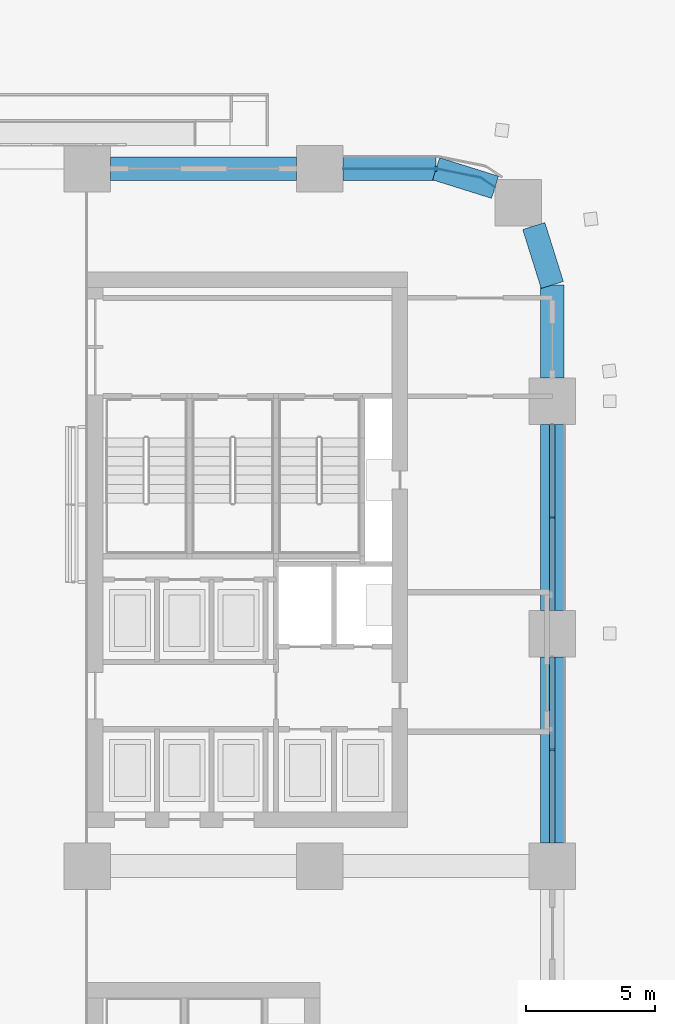
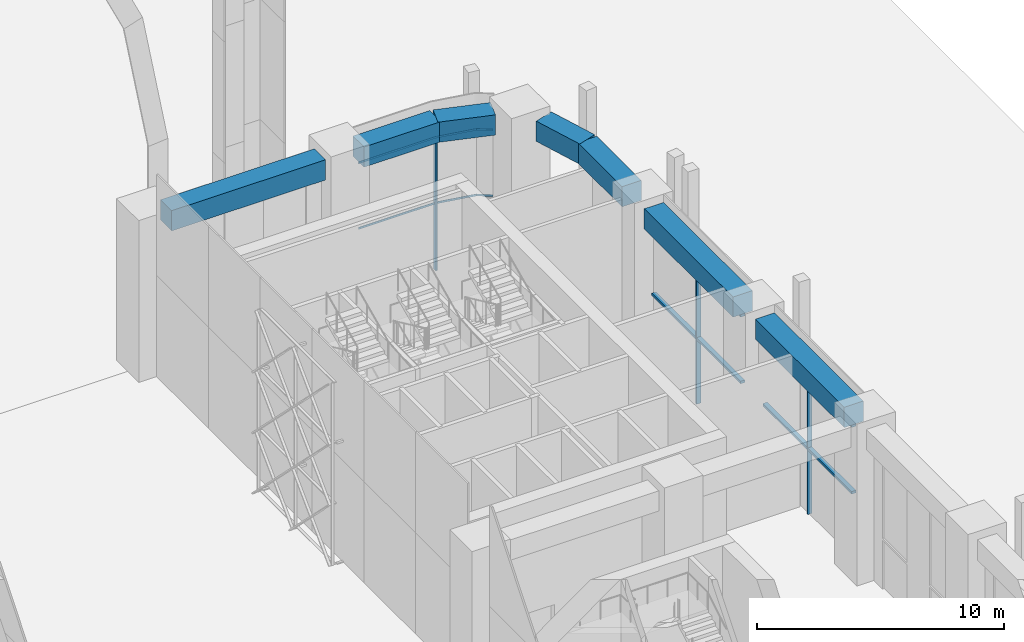
# One storey, part 19 of 64: 9 members, 7 beams, 3 elements without a shape of their own.
"""IFC4 building model written with IfcOpenShell, lengths in metres."""

from ifc_helpers import new_model, si_unit, direction, frame, origin, origin_2d, place, context, subcontext, project, spatial, polyline, rectangle, outline, extrude, material, material_profile, profile_set, type_object, element, aggregate, save


model = new_model("IFC4")

# Units and contexts
model_context = context("Model", 3, precision=1e-05, world=origin(), true_north=direction((0.0, 1.0)))
body_context = subcontext(model_context, "Body", "Model", "MODEL_VIEW")
ifc_project = project(units=[si_unit("LENGTHUNIT", "METRE"), si_unit("AREAUNIT", "SQUARE_METRE"), si_unit("VOLUMEUNIT", "CUBIC_METRE"), si_unit("PLANEANGLEUNIT", "RADIAN"), si_unit("MASSUNIT", "GRAM", prefix="KILO")], contexts=[model_context])

# Site, building, storey
site_placement = place(None, origin())
site = spatial("IfcSite", under=ifc_project, at=site_placement, CompositionType="ELEMENT")
building_placement = place(site_placement, origin())
building = spatial("IfcBuilding", under=site, at=building_placement, Name="Tessera Arch", CompositionType="ELEMENT")
storey_placement = place(building_placement, origin())
storey = spatial("IfcBuildingStorey", under=building, at=storey_placement, Name="L00", CompositionType="ELEMENT", Elevation=0.0)

# Curtain wall, members
ifc_material_1 = material(Name="CW2 curtain wall")
curtain_wall_type_1 = type_object("IfcCurtainWallType", Name="CW2 curtain wall", PredefinedType="NOTDEFINED", material=ifc_material_1)
curtain_wall_1_placement = place(storey_placement, origin())
curtain_wall_1 = element("IfcCurtainWall", 1, at=curtain_wall_1_placement, inside=storey, type_object=curtain_wall_type_1, Name="CW2 curtain wall N54.36/0 L00", PredefinedType="NOTDEFINED")
ifc_material_2 = material(Name="Anodised aluminium pale metal", Category="aluminium")
ifc_material_profile_1 = material_profile(ifc_material_2, rectangle(XDim=0.199951171875, YDim=0.080078125, at=origin_2d()), Name="AL 80x200")
ifc_profile_set_1 = profile_set([ifc_material_profile_1], Name="Anodised aluminium pale metal")
member_type_1 = type_object("IfcMemberType", Name="CW2 mullion", PredefinedType="MULLION", material=ifc_profile_set_1)
member_1_placement = place(storey_placement, frame((49.5, 54.0, 0.0), z_axis=(0.0, 0.0, 1.0), x_axis=(0.0, -1.0, 0.0)))
member_1 = element("IfcMember", 2, at=member_1_placement, type_object=member_type_1, Name="CW2 mullion N54.36/0 1", PredefinedType="MULLION", context=body_context, shape_type="SweptSolid", body=[
    extrude(rectangle(XDim=0.199951171875, YDim=0.080078125, at=origin_2d()), origin(), (0.0, 0.0, 1.0), 6.489990234375),
])
ifc_material_3 = material(Name="Anodised aluminium pale metal", Category="aluminium")
ifc_material_profile_2 = material_profile(ifc_material_3, rectangle(XDim=0.199951171875, YDim=0.10009765625, at=origin_2d()), Name="AL 200x100")
ifc_profile_set_2 = profile_set([ifc_material_profile_2], Name="Anodised aluminium pale metal")
member_type_2 = type_object("IfcMemberType", Name="CW2 transom", PredefinedType="USERDEFINED", material=ifc_profile_set_2)
member_2_placement = place(storey_placement, frame((0.0, 0.0, 3.2451171875)))
member_2 = element("IfcMember", 3, at=member_2_placement, type_object=member_type_2, Name="CW2 transom N54.36/0 1", ObjectType="TRANSOM", PredefinedType="USERDEFINED", context=body_context, shape_type="SweptSolid", body=[
    extrude(outline(polyline([(51.21826171875, 53.648193359375), (51.7763671875, 53.27490234375), (51.78759765625, 53.29150390625), (51.22607421875, 53.6669921875), (49.5009765625, 54.010009765625), (45.89990234375, 54.010009765625), (45.89990234375, 53.989990234375), (49.4990234375, 53.989990234375), (51.21826171875, 53.648193359375)])), origin(), (0.0, 0.0, 1.0), 0.099853515625),
])
member_3_placement = place(storey_placement, frame((0.0, 0.0, 6.489990234375)))
member_3 = element("IfcMember", 4, at=member_3_placement, type_object=member_type_2, Name="CW2 transom N54.36/0 2", ObjectType="TRANSOM", PredefinedType="USERDEFINED", context=body_context, shape_type="SweptSolid", body=[
    extrude(outline(polyline([(51.21826171875, 53.648193359375), (51.7763671875, 53.27490234375), (51.78759765625, 53.29150390625), (51.22607421875, 53.6669921875), (49.5009765625, 54.010009765625), (45.89990234375, 54.010009765625), (45.89990234375, 53.989990234375), (49.4990234375, 53.989990234375), (51.21826171875, 53.648193359375)])), origin(), (0.0, 0.0, 1.0), 0.10009765625),
])
aggregate(curtain_wall_1, [member_1, member_2, member_3])

# Curtain wall, member
ifc_material_4 = material(Name="CW6 curtain wall")
curtain_wall_type_2 = type_object("IfcCurtainWallType", Name="CW6 curtain wall", PredefinedType="NOTDEFINED", material=ifc_material_4)
curtain_wall_2_placement = place(storey_placement, origin())
curtain_wall_2 = element("IfcCurtainWall", 5, at=curtain_wall_2_placement, inside=storey, type_object=curtain_wall_type_2, Name="CW6 curtain wall E54.0/2 L00", PredefinedType="NOTDEFINED")
ifc_material_5 = material(Name="Anodised aluminium pale metal", Category="aluminium")
ifc_material_profile_3 = material_profile(ifc_material_5, rectangle(XDim=0.199951171875, YDim=0.070068359375, at=origin_2d()), Name="AL 70x200")
ifc_profile_set_3 = profile_set([ifc_material_profile_3], Name="Anodised aluminium pale metal")
member_type_3 = type_object("IfcMemberType", Name="CW6 mullion", PredefinedType="MULLION", material=ifc_profile_set_3)
member_4_placement = place(storey_placement, frame((54.0, 31.5, 0.0), z_axis=(0.0, 0.0, 1.0), x_axis=(-1.0, 0.0, 0.0)))
member_4 = element("IfcMember", 6, at=member_4_placement, type_object=member_type_3, Name="CW6 mullion E54.0/2 1", PredefinedType="MULLION", context=body_context, shape_type="SweptSolid", body=[
    extrude(rectangle(XDim=0.199951171875, YDim=0.070068359375, at=origin_2d()), origin(), (0.0, 0.0, 1.0), 6.469970703125),
])

curtain_wall_3_placement = place(storey_placement, origin())
curtain_wall_3 = element("IfcCurtainWall", 7, at=curtain_wall_3_placement, inside=storey, type_object=curtain_wall_type_2, Name="CW6 curtain wall E54.0/3 L00", PredefinedType="NOTDEFINED")
member_5_placement = place(storey_placement, frame((54.0, 40.5, 0.0), z_axis=(0.0, 0.0, 1.0), x_axis=(-1.0, 0.0, 0.0)))
member_5 = element("IfcMember", 8, at=member_5_placement, type_object=member_type_3, Name="CW6 mullion E54.0/3 1", PredefinedType="MULLION", context=body_context, shape_type="SweptSolid", body=[
    extrude(rectangle(XDim=0.199951171875, YDim=0.070068359375, at=origin_2d()), origin(), (0.0, 0.0, 1.0), 6.469970703125),
])

# Member
ifc_material_6 = material(Name="Anodised aluminium pale metal", Category="aluminium")
ifc_material_profile_4 = material_profile(ifc_material_6, rectangle(XDim=0.199951171875, YDim=0.1201171875, at=origin_2d()), Name="AL 200x120")
ifc_profile_set_4 = profile_set([ifc_material_profile_4], Name="Anodised aluminium pale metal")
member_type_4 = type_object("IfcMemberType", Name="CW6 transom", PredefinedType="USERDEFINED", material=ifc_profile_set_4)
member_6_placement = place(storey_placement, frame((54.0, 27.89990234375, 6.530029296875), z_axis=(0.0, 1.0, 0.0), x_axis=(-1.0, 0.0, 0.0)))
member_6 = element("IfcMember", 9, at=member_6_placement, type_object=member_type_4, Name="CW6 transom E54.0/2 1.1", ObjectType="TRANSOM", PredefinedType="USERDEFINED", context=body_context, shape_type="SweptSolid", body=[
    extrude(rectangle(XDim=0.199951171875, YDim=0.1201171875, at=origin_2d()), origin(), (0.0, 0.0, 1.0), 7.2001953125),
])

member_7_placement = place(storey_placement, frame((54.0, 27.89990234375, 3.235107421875), z_axis=(0.0, 1.0, 0.0), x_axis=(-1.0, 0.0, 0.0)))
member_7 = element("IfcMember", 10, at=member_7_placement, type_object=member_type_4, Name="CW6 transom E54.0/2 2.1", ObjectType="TRANSOM", PredefinedType="USERDEFINED", context=body_context, shape_type="SweptSolid", body=[
    extrude(rectangle(XDim=0.199951171875, YDim=0.1201171875, at=origin_2d()), origin(), (0.0, 0.0, 1.0), 7.2001953125),
])

aggregate(curtain_wall_2, [member_4, member_6, member_7])

member_8_placement = place(storey_placement, frame((54.0, 36.89990234375, 6.530029296875), z_axis=(0.0, 1.0, 0.0), x_axis=(-1.0, 0.0, 0.0)))
member_8 = element("IfcMember", 11, at=member_8_placement, type_object=member_type_4, Name="CW6 transom E54.0/3 1.1", ObjectType="TRANSOM", PredefinedType="USERDEFINED", context=body_context, shape_type="SweptSolid", body=[
    extrude(rectangle(XDim=0.199951171875, YDim=0.1201171875, at=origin_2d()), origin(), (0.0, 0.0, 1.0), 7.2001953125),
])

member_9_placement = place(storey_placement, frame((54.0, 36.89990234375, 3.235107421875), z_axis=(0.0, 1.0, 0.0), x_axis=(-1.0, 0.0, 0.0)))
member_9 = element("IfcMember", 12, at=member_9_placement, type_object=member_type_4, Name="CW6 transom E54.0/3 2.1", ObjectType="TRANSOM", PredefinedType="USERDEFINED", context=body_context, shape_type="SweptSolid", body=[
    extrude(rectangle(XDim=0.199951171875, YDim=0.1201171875, at=origin_2d()), origin(), (0.0, 0.0, 1.0), 7.2001953125),
])

aggregate(curtain_wall_3, [member_5, member_8, member_9])

# Beams
ifc_material_7 = material(Name="Concrete C80/95", Category="concrete")
ifc_material_profile_5 = material_profile(ifc_material_7, rectangle(XDim=0.89990234375, YDim=1.0, at=origin_2d()), Name="RC spandrel beam 900 x 1000 Concrete C80/95")
ifc_profile_set_5 = profile_set([ifc_material_profile_5], Name="Concrete C80/95")
beam_type = type_object("IfcBeamType", Name="RC spandrel beam 900 x 1000 Concrete C80/95", PredefinedType="BEAM", material=ifc_profile_set_5)
for number, where, z_axis, x_axis, name in (
    (13, (54.0, 27.89990234375, 7.090087890625), (0.0, 1.0, 0.0), (-1.0, 0.0, 0.0), "Spandrel beam L00 E54.0/2"),
    (14, (54.0, 36.89990234375, 7.090087890625), (0.0, 1.0, 0.0), (-1.0, 0.0, 0.0), "Spandrel beam L00 E54.0/3"),
):
    element("IfcBeam", number, at=place(storey_placement, frame(where, z_axis=z_axis, x_axis=x_axis)), inside=storey, type_object=beam_type, Name=name, PredefinedType="BEAM", context=body_context, shape_type="SweptSolid", body=[
        extrude(rectangle(XDim=0.89990234375, YDim=1.0, at=origin_2d()), origin(), (0.0, 0.0, 1.0), 7.2001953125),
    ])
beam_1_placement = place(storey_placement, frame((54.0, 45.89990234375, 7.090087890625), z_axis=(0.0, 1.0, 0.0), x_axis=(-1.0, 0.0, 0.0)))
element("IfcBeam", 15, at=beam_1_placement, inside=storey, type_object=beam_type, Name="Spandrel beam L00 E54.0/4.1", PredefinedType="BEAM", context=body_context, shape_type="SweptSolid", body=[
    extrude(rectangle(XDim=0.89990234375, YDim=1.0, at=origin_2d()), origin(), (0.0, 0.0, 1.0), 3.60009765625),
])
for number, where, z_axis, x_axis, name in (
    (16, (54.0, 49.5, 7.090087890625), (-0.299675309057, 0.954041251279, 0.0), (-0.954041251279, -0.299675309057, 0.0), "Spandrel beam L00 E54.0/4.2"),
    (17, (51.781982421875, 53.283203125, 7.090087890625), (-0.954041251279, 0.299675309057, 0.0), (-0.299675309057, -0.954041251279, 0.0), "Spandrel beam L00 N54.36/0.1"),
):
    element("IfcBeam", number, at=place(storey_placement, frame(where, z_axis=z_axis, x_axis=x_axis)), inside=storey, type_object=beam_type, Name=name, PredefinedType="BEAM", context=body_context, shape_type="SweptSolid", body=[
        extrude(rectangle(XDim=0.89990234375, YDim=1.0, at=origin_2d()), origin(), (0.0, 0.0, 1.0), 2.391845703125),
    ])
beam_2_placement = place(storey_placement, frame((49.5, 54.0, 7.090087890625), z_axis=(-1.0, 0.0, 0.0), x_axis=(0.0, -1.0, 0.0)))
element("IfcBeam", 18, at=beam_2_placement, inside=storey, type_object=beam_type, Name="Spandrel beam L00 N54.36/0.2", PredefinedType="BEAM", context=body_context, shape_type="SweptSolid", body=[
    extrude(rectangle(XDim=0.89990234375, YDim=1.0, at=origin_2d()), origin(), (0.0, 0.0, 1.0), 3.60009765625),
])
beam_3_placement = place(storey_placement, frame((44.10009765625, 54.0, 7.090087890625), z_axis=(-1.0, 0.0, 0.0), x_axis=(0.0, -1.0, 0.0)))
element("IfcBeam", 19, at=beam_3_placement, inside=storey, type_object=beam_type, Name="Spandrel beam L00 N54.36/1", PredefinedType="BEAM", context=body_context, shape_type="SweptSolid", body=[
    extrude(rectangle(XDim=0.89990234375, YDim=1.0, at=origin_2d()), origin(), (0.0, 0.0, 1.0), 7.2001953125),
])

save(model, "model.ifc")
